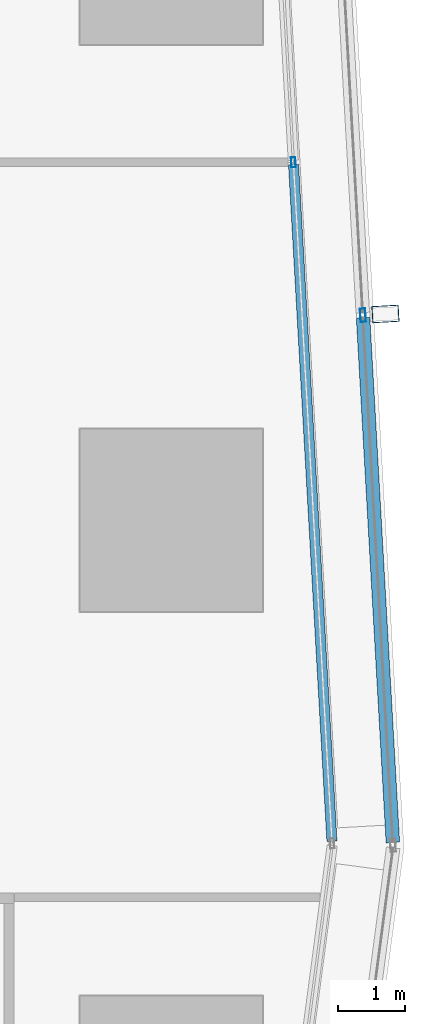
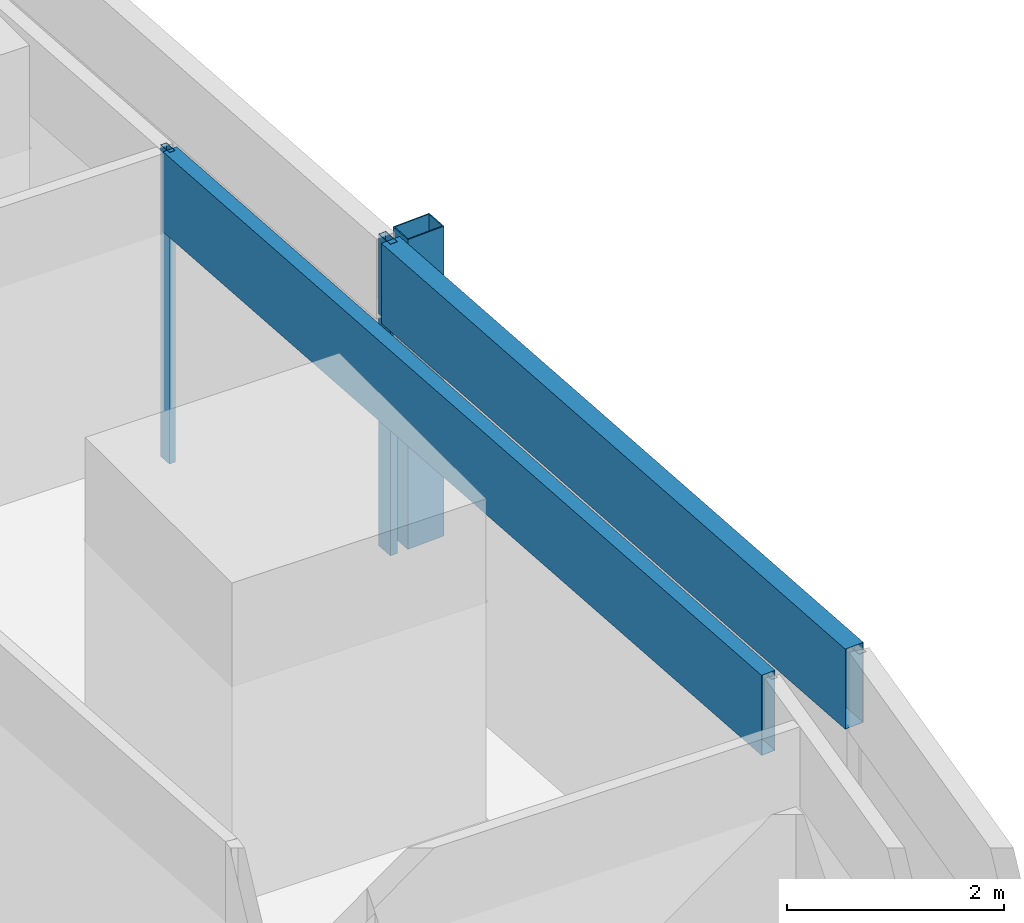
# One storey, part 12 of 36: 5 members, 2 elements without a shape of their own.
"""IFC4 building model written with IfcOpenShell, lengths in metres."""

from ifc_helpers import new_model, si_unit, direction, frame, origin, origin_2d, place, context, subcontext, project, spatial, hollow_rectangle, extrude, material, material_profile, profile_set, type_object, element, aggregate, save


model = new_model("IFC4")

# Units and contexts
model_context = context("Model", 3, precision=1e-05, world=origin(), true_north=direction((0.0, 1.0)))
body_context = subcontext(model_context, "Body", "Model", "MODEL_VIEW")
ifc_project = project(units=[si_unit("LENGTHUNIT", "METRE"), si_unit("AREAUNIT", "SQUARE_METRE"), si_unit("VOLUMEUNIT", "CUBIC_METRE"), si_unit("PLANEANGLEUNIT", "RADIAN"), si_unit("MASSUNIT", "GRAM", prefix="KILO")], contexts=[model_context])

# Site, building, storey
site_placement = place(None, origin())
site = spatial("IfcSite", under=ifc_project, at=site_placement, CompositionType="ELEMENT")
building_placement = place(site_placement, origin())
building = spatial("IfcBuilding", under=site, at=building_placement, Name="Rekha Terrace Tower", CompositionType="ELEMENT")
storey_placement = place(building_placement, frame((0.0, 0.0, 172.699951171875)))
storey = spatial("IfcBuildingStorey", under=building, at=storey_placement, Name="L43", CompositionType="ELEMENT", Elevation=172.699951171875)

# Curtain wall, member
ifc_material_1 = material(Name="Aluminium framing", Category="aluminium")
curtain_wall_type_1 = type_object("IfcCurtainWallType", Name="CW2 double skin outer glazing", PredefinedType="USERDEFINED", material=ifc_material_1)
curtain_wall_1_placement = place(storey_placement, origin())
curtain_wall_1 = element("IfcCurtainWall", 1, at=curtain_wall_1_placement, inside=storey, type_object=curtain_wall_type_1, Name="CW2 double skin outer glazing", ObjectType="DOUBLE SKIN OUTER GLAZING", PredefinedType="USERDEFINED")
ifc_material_2 = material(Name="Steel S355 with fluorocarbon finish", Category="steel")
ifc_material_profile_1 = material_profile(ifc_material_2, hollow_rectangle(XDim=0.25, YDim=0.39990234375, WallThickness=0.012451171875, at=origin_2d()), Name="RHS400x250x12.5")
ifc_profile_set_1 = profile_set([ifc_material_profile_1], Name="Steel S355 with fluorocarbon finish")
member_type_1 = type_object("IfcMemberType", Name="BL1 facade blade RHS 400 x 250", PredefinedType="USERDEFINED", material=ifc_profile_set_1)
member_1_placement = place(storey_placement, frame((61.975830078125, 36.65576171875, 0.02001953125), z_axis=(0.0, 0.0, 1.0), x_axis=(-0.056673619809, 0.998392758797, 0.0)))
member_1 = element("IfcMember", 2, at=member_1_placement, type_object=member_type_1, Name="Facade blade", ObjectType="FACADE BLADE", PredefinedType="USERDEFINED", context=body_context, shape_type="SweptSolid", body=[
    extrude(hollow_rectangle(XDim=0.25, YDim=0.39990234375, WallThickness=0.012451171875, at=origin_2d()), origin(), (0.0, 0.0, 1.0), 3.47998046875),
])

# Curtain wall, members
curtain_wall_type_2 = type_object("IfcCurtainWallType", Name="CW1 double skin inner glazing", PredefinedType="USERDEFINED", material=ifc_material_1)
curtain_wall_2_placement = place(storey_placement, origin())
curtain_wall_2 = element("IfcCurtainWall", 3, at=curtain_wall_2_placement, inside=storey, type_object=curtain_wall_type_2, Name="CW1 double skin inner glazing", ObjectType="DOUBLE SKIN INNER GLAZING", PredefinedType="USERDEFINED")
ifc_material_3 = material(Name="Aluminium mullion section", Category="aluminium")
ifc_material_profile_2 = material_profile(ifc_material_3, hollow_rectangle(XDim=0.06494140625, YDim=0.14990234375, WallThickness=0.00390625, at=origin_2d()), Name="AL RHS 65x150")
ifc_profile_set_2 = profile_set([ifc_material_profile_2], Name="Aluminium mullion section")
member_type_2 = type_object("IfcMemberType", Name="CW1 mullion RHS 65 x 150", PredefinedType="MULLION", material=ifc_profile_set_2)
member_2_placement = place(storey_placement, frame((60.611328125, 38.90234375, 0.0), z_axis=(0.0, 0.0, 1.0), x_axis=(-0.998392782918, -0.056673194877, 0.0)))
member_2 = element("IfcMember", 4, at=member_2_placement, type_object=member_type_2, Name="CW1 mullion 2", PredefinedType="MULLION", context=body_context, shape_type="SweptSolid", body=[
    extrude(hollow_rectangle(XDim=0.06494140625, YDim=0.14990234375, WallThickness=0.00390625, at=origin_2d()), origin(), (0.0, 0.0, 1.0), 3.5),
])
ifc_material_4 = material(Name="Insulated aluminium spandrel box", Category="aluminium")
ifc_material_profile_3 = material_profile(ifc_material_4, hollow_rectangle(XDim=0.14990234375, YDim=0.89990234375, WallThickness=0.0029296875, at=origin_2d()), Name="AL SPANDREL BOX 150x900")
ifc_profile_set_3 = profile_set([ifc_material_profile_3], Name="Insulated aluminium spandrel box")
member_type_3 = type_object("IfcMemberType", Name="CW1 spandrel transom 150 x 900", PredefinedType="USERDEFINED", material=ifc_profile_set_3)
member_3_placement = place(storey_placement, frame((61.182373046875, 28.8447265625, 3.050048828125), z_axis=(-0.056675189661, 0.998392669683, 0.0), x_axis=(-0.998392669683, -0.056675189661, 0.0)))
member_3 = element("IfcMember", 5, at=member_3_placement, type_object=member_type_3, Name="CW1 spandrel transom 1", ObjectType="TRANSOM", PredefinedType="USERDEFINED", context=body_context, shape_type="SweptSolid", body=[
    extrude(hollow_rectangle(XDim=0.14990234375, YDim=0.89990234375, WallThickness=0.0029296875, at=origin_2d()), origin(), (0.0, 0.0, 1.0), 10.041259765625),
])
aggregate(curtain_wall_2, [member_2, member_3])

# Member
ifc_material_profile_4 = material_profile(ifc_material_3, hollow_rectangle(XDim=0.080078125, YDim=0.199951171875, WallThickness=0.00390625, at=origin_2d()), Name="AL RHS 80x200")
ifc_profile_set_4 = profile_set([ifc_material_profile_4], Name="Aluminium mullion section")
member_type_4 = type_object("IfcMemberType", Name="CW2 mullion RHS 80 x 200", PredefinedType="MULLION", material=ifc_profile_set_4)
member_4_placement = place(storey_placement, frame((61.6416015625, 36.63671875, 0.0), z_axis=(0.0, 0.0, 1.0), x_axis=(-0.998392782919, -0.05667319486, 0.0)))
member_4 = element("IfcMember", 6, at=member_4_placement, type_object=member_type_4, Name="CW2 mullion 2", PredefinedType="MULLION", context=body_context, shape_type="SweptSolid", body=[
    extrude(hollow_rectangle(XDim=0.080078125, YDim=0.199951171875, WallThickness=0.00390625, at=origin_2d()), origin(), (0.0, 0.0, 1.0), 3.5),
])

ifc_material_profile_5 = material_profile(ifc_material_4, hollow_rectangle(XDim=0.199951171875, YDim=0.89990234375, WallThickness=0.0029296875, at=origin_2d()), Name="AL SPANDREL BOX 200x900")
ifc_profile_set_5 = profile_set([ifc_material_profile_5], Name="Insulated aluminium spandrel box")
member_type_5 = type_object("IfcMemberType", Name="CW2 spandrel transom 200 x 900", PredefinedType="USERDEFINED", material=ifc_profile_set_5)
member_5_placement = place(storey_placement, frame((62.0849609375, 28.825927734375, 3.050048828125), z_axis=(-0.05667908121, 0.998392448766, 0.0), x_axis=(-0.998392448766, -0.05667908121, 0.0)))
member_5 = element("IfcMember", 7, at=member_5_placement, type_object=member_type_5, Name="CW2 spandrel transom 1", ObjectType="TRANSOM", PredefinedType="USERDEFINED", context=body_context, shape_type="SweptSolid", body=[
    extrude(hollow_rectangle(XDim=0.199951171875, YDim=0.89990234375, WallThickness=0.0029296875, at=origin_2d()), origin(), (0.0, 0.0, 1.0), 7.783447265625),
])

aggregate(curtain_wall_1, [member_4, member_5, member_1])

save(model, "model.ifc")
